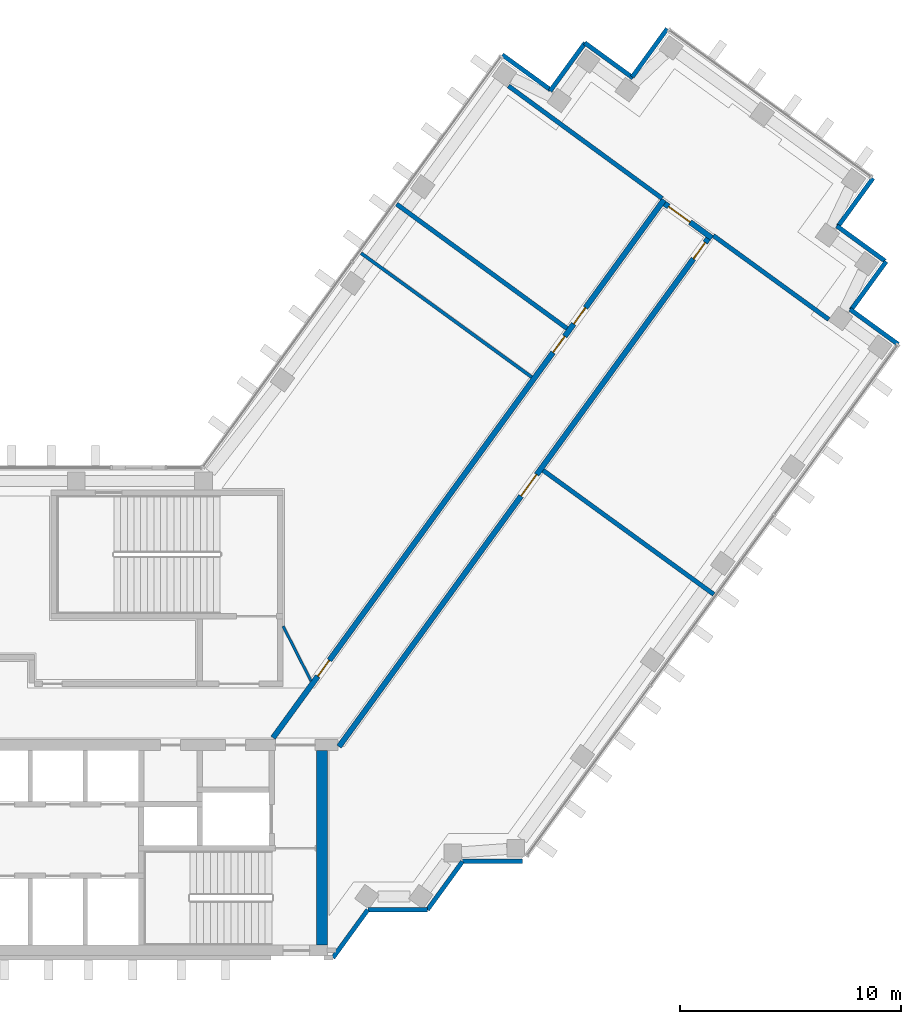
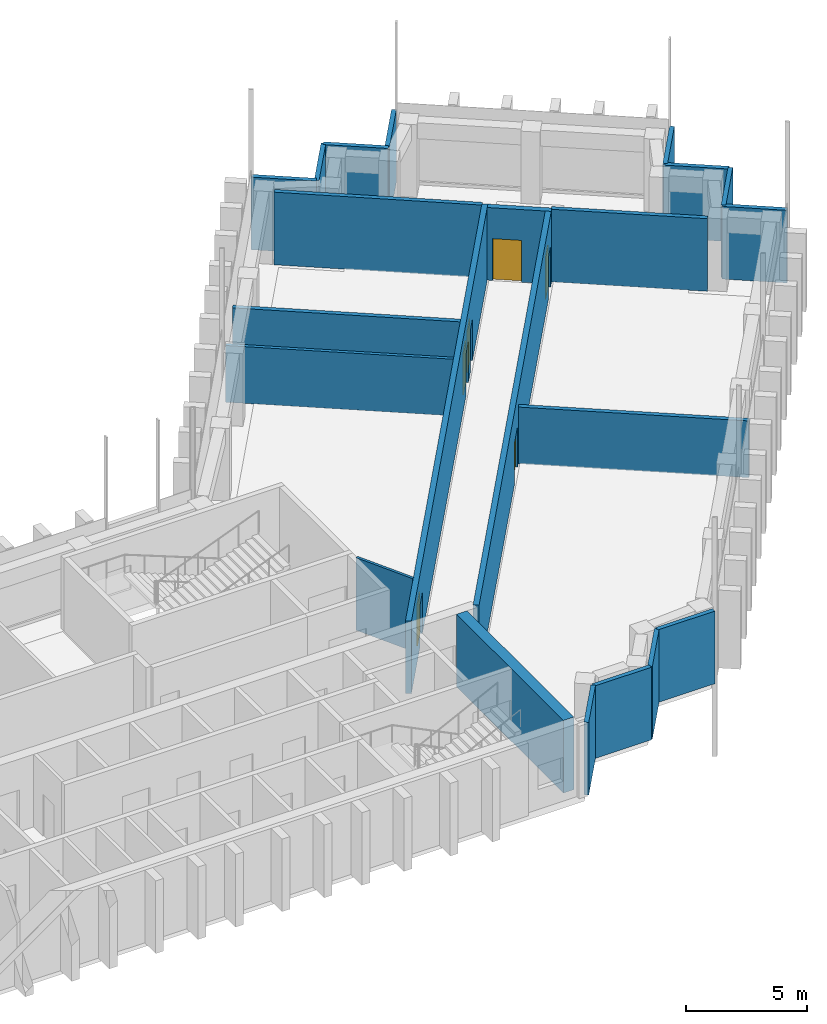
# One storey, part 10 of 13: 22 walls, 6 doors, 6 openings.
"""IFC4 building model written with IfcOpenShell, lengths in metres."""

from ifc_helpers import new_model, si_unit, direction, frame, frame_2d, origin, place, context, subcontext, project, spatial, rectangle, extrude, material, layer, layer_set, type_object, element, fill, save


model = new_model("IFC4")

# Units and contexts
model_context = context("Model", 3, precision=1e-05, world=origin(), true_north=direction((0.0, 1.0)))
body_context = subcontext(model_context, "Body", "Model", "MODEL_VIEW")
ifc_project = project(units=[si_unit("LENGTHUNIT", "METRE"), si_unit("AREAUNIT", "SQUARE_METRE"), si_unit("VOLUMEUNIT", "CUBIC_METRE"), si_unit("PLANEANGLEUNIT", "RADIAN"), si_unit("MASSUNIT", "GRAM", prefix="KILO")], contexts=[model_context])

# Site, building, storey
site_placement = place(None, origin())
site = spatial("IfcSite", under=ifc_project, at=site_placement, CompositionType="ELEMENT")
building_placement = place(site_placement, origin())
building = spatial("IfcBuilding", under=site, at=building_placement, Name="Quipu Civic Tower", CompositionType="ELEMENT")
storey_placement = place(building_placement, frame((0.0, 0.0, 172.0)))
storey = spatial("IfcBuildingStorey", under=building, at=storey_placement, Name="L40", CompositionType="ELEMENT", Elevation=172.0)

# Walls
ifc_material_1 = material(Name="Double gypsum plasterboard with mineral wool")
ifc_layer_1 = layer(ifc_material_1, 0.14990234375)
ifc_layer_set_1 = layer_set([ifc_layer_1], Name="Double gypsum plasterboard with mineral wool")
wall_type_1 = type_object("IfcWallType", Name="Acoustic partition 150 plasterboard", PredefinedType="PARTITIONING", material=ifc_layer_set_1)
wall_1_placement = place(storey_placement, frame((29.251220703125, 15.19970703125, 0.0), z_axis=(0.0, 0.0, 1.0), x_axis=(-0.808994684961, 0.587815957341, 0.0)))
element("IfcWall", 1, at=wall_1_placement, inside=storey, type_object=wall_type_1, Name="Partition P09", PredefinedType="PARTITIONING", context=body_context, shape_type="SweptSolid", body=[
    extrude(rectangle(XDim=9.55029296875, YDim=0.14990234375, at=frame_2d((4.775146484375, 0.0))), origin(), (0.0, 0.0, 1.0), 2.85009765625),
])
ifc_material_2 = material(Name="Fired clay blockwork", Category="masonry")
ifc_layer_2 = layer(ifc_material_2, 0.199951171875)
ifc_layer_set_2 = layer_set([ifc_layer_2], Name="Fired clay blockwork")
wall_type_2 = type_object("IfcWallType", Name="Blockwork wall 200", PredefinedType="SOLIDWALL", material=ifc_layer_set_2)
wall_2_placement = place(storey_placement, frame((37.495849609375, 5.36669921875, 0.0), z_axis=(0.0, 0.0, 1.0), x_axis=(-0.809048817734, 0.587741448702, 0.0)))
element("IfcWall", 2, at=wall_2_placement, inside=storey, type_object=wall_type_2, Name="Partition P06", PredefinedType="SOLIDWALL", context=body_context, shape_type="SweptSolid", body=[
    extrude(rectangle(XDim=9.55029296875, YDim=0.199951171875, at=frame_2d((4.775146484375, 0.0))), origin(), (0.0, 0.0, 1.0), 2.85009765625),
])
wall_3_placement = place(storey_placement, frame((37.4677734375, 21.609619140625, 0.0), z_axis=(0.0, 0.0, 1.0), x_axis=(0.80901688725, -0.587785399737, 0.0)))
element("IfcWall", 3, at=wall_3_placement, inside=storey, type_object=wall_type_2, Name="Partition P07", PredefinedType="SOLIDWALL", context=body_context, shape_type="SweptSolid", body=[
    extrude(rectangle(XDim=6.464599609375, YDim=0.199951171875, at=frame_2d((3.232421875, 0.0))), origin(), (0.0, 0.0, 1.0), 3.64990234375),
])
wall_4_placement = place(storey_placement, frame((28.197998046875, 28.38134765625, 0.0), z_axis=(0.0, 0.0, 1.0), x_axis=(0.806977317905, -0.590582431492, 0.0)))
element("IfcWall", 4, at=wall_4_placement, inside=storey, type_object=wall_type_2, Name="Partition P08", PredefinedType="SOLIDWALL", context=body_context, shape_type="SweptSolid", body=[
    extrude(rectangle(XDim=8.61962890625, YDim=0.199951171875, at=frame_2d((4.309814453125, 0.0))), origin(), (0.0, 0.0, 1.0), 3.64990234375),
])
wall_5_placement = place(storey_placement, frame((23.136962890625, 23.031982421875, 0.0), z_axis=(0.0, 0.0, 1.0), x_axis=(0.807661302092, -0.589646691759, 0.0)))
element("IfcWall", 5, at=wall_5_placement, inside=storey, type_object=wall_type_2, Name="Partition P11", PredefinedType="SOLIDWALL", context=body_context, shape_type="SweptSolid", body=[
    extrude(rectangle(XDim=9.550048828125, YDim=0.199951171875, at=frame_2d((4.77490234375, 0.0))), origin(), (0.0, 0.0, 1.0), 2.85009765625),
])
ifc_material_3 = material(Name="Concrete C70/85", Category="concrete")
ifc_layer_3 = layer(ifc_material_3, 0.5)
ifc_layer_set_3 = layer_set([ifc_layer_3], Name="Concrete C70/85")
wall_type_3 = type_object("IfcWallType", Name="Core wall 500", PredefinedType="SHEAR", material=ifc_layer_set_3)
wall_6_placement = place(storey_placement, frame((19.75, -10.5, 0.0), z_axis=(0.0, 0.0, 1.0), x_axis=(0.0, 1.0, 0.0)))
element("IfcWall", 6, at=wall_6_placement, inside=storey, type_object=wall_type_3, Name="Core wall", PredefinedType="SHEAR", context=body_context, shape_type="SweptSolid", body=[
    extrude(rectangle(XDim=8.800048828125, YDim=0.5, at=frame_2d((4.39990234375, 0.0))), origin(), (0.0, 0.0, 1.0), 3.64990234375),
])

# Wall, openings, doors
ifc_material_4 = material(Name="Concrete C50/60", Category="concrete")
ifc_layer_4 = layer(ifc_material_4, 0.25)
ifc_layer_set_4 = layer_set([ifc_layer_4], Name="Concrete C50/60")
wall_type_4 = type_object("IfcWallType", Name="Corridor wall 250 concrete", PredefinedType="SOLIDWALL", material=ifc_layer_set_4)
wall_7_placement = place(storey_placement, frame((17.544921875, -1.124755859375, 0.0), z_axis=(0.0, 0.0, 1.0), x_axis=(0.587786330937, 0.809016210693, 0.0)))
wall_7 = element("IfcWall", 7, at=wall_7_placement, inside=storey, type_object=wall_type_4, Name="Corridor wall C01", PredefinedType="SOLIDWALL", context=body_context, shape_type="SweptSolid", body=[
    extrude(rectangle(XDim=30.10302734375, YDim=0.25, at=frame_2d((15.051513671875, 0.0))), origin(), (0.0, 0.0, 1.0), 3.64990234375),
])
opening_1_placement = place(wall_7_placement, frame((3.44140625, 0.0, 0.0)))
opening_1 = element("IfcOpeningElement", 8, at=opening_1_placement, cuts=wall_7, Name="Opening D001", PredefinedType="OPENING", context=body_context, shape_type="SweptSolid", body=[
    extrude(rectangle(XDim=0.89990234375, YDim=2.10009765625, at=frame_2d((0.449951171875, 1.050048828125))), frame((0.0, 0.135009765625, 0.0), z_axis=(0.0, -1.0, 0.0), x_axis=(1.0, 0.0, 0.0)), (0.0, 0.0, 1.0), 0.27001953125),
])
opening_2_placement = place(wall_7_placement, frame((23.15771484375, 0.0, 0.0)))
opening_2 = element("IfcOpeningElement", 9, at=opening_2_placement, cuts=wall_7, Name="Opening D003", PredefinedType="OPENING", context=body_context, shape_type="SweptSolid", body=[
    extrude(rectangle(XDim=0.89990234375, YDim=2.10009765625, at=frame_2d((0.449951171875, 1.050048828125))), frame((0.0, 0.135009765625, 0.0), z_axis=(0.0, -1.0, 0.0), x_axis=(1.0, 0.0, 0.0)), (0.0, 0.0, 1.0), 0.27001953125),
])
opening_3_placement = place(wall_7_placement, frame((21.5576171875, 0.0, 0.0)))
opening_3 = element("IfcOpeningElement", 10, at=opening_3_placement, cuts=wall_7, Name="Opening D002", PredefinedType="OPENING", context=body_context, shape_type="SweptSolid", body=[
    extrude(rectangle(XDim=0.89990234375, YDim=2.10009765625, at=frame_2d((0.449951171875, 1.050048828125))), frame((0.0, 0.135009765625, 0.0), z_axis=(0.0, -1.0, 0.0), x_axis=(1.0, 0.0, 0.0)), (0.0, 0.0, 1.0), 0.27001953125),
])
ifc_material_5 = material(Name="Fire rated timber door set with metal frame", Category="wood")
door_type_1 = type_object("IfcDoorType", Name="Single door 900 x 2100 FD60", OperationType="NOTDEFINED", PredefinedType="DOOR", material=ifc_material_5)
door_1_placement = place(opening_1_placement, origin())
door_1 = element("IfcDoor", 11, at=door_1_placement, inside=storey, type_object=door_type_1, Name="Door D001", OperationType="SINGLE_SWING_LEFT", OverallHeight=2.10009765625, OverallWidth=0.89990234375, PredefinedType="DOOR", context=body_context, shape_type="SweptSolid", body=[
    extrude(rectangle(XDim=0.89990234375, YDim=2.10009765625, at=frame_2d((0.449951171875, 1.050048828125))), frame((0.0, 0.02490234375, 0.0), z_axis=(0.0, -1.0, 0.0), x_axis=(1.0, 0.0, 0.0)), (0.0, 0.0, 1.0), 0.050048828125),
])
fill(opening_1, door_1)
door_2_placement = place(opening_2_placement, origin())
door_2 = element("IfcDoor", 12, at=door_2_placement, inside=storey, type_object=door_type_1, Name="Door D003", OperationType="SINGLE_SWING_LEFT", OverallHeight=2.10009765625, OverallWidth=0.89990234375, PredefinedType="DOOR", context=body_context, shape_type="SweptSolid", body=[
    extrude(rectangle(XDim=0.89990234375, YDim=2.10009765625, at=frame_2d((0.449951171875, 1.050048828125))), frame((0.0, 0.02490234375, 0.0), z_axis=(0.0, -1.0, 0.0), x_axis=(1.0, 0.0, 0.0)), (0.0, 0.0, 1.0), 0.050048828125),
])
fill(opening_2, door_2)
door_3_placement = place(opening_3_placement, origin())
door_3 = element("IfcDoor", 13, at=door_3_placement, inside=storey, type_object=door_type_1, Name="Door D002", OperationType="SINGLE_SWING_RIGHT", OverallHeight=2.10009765625, OverallWidth=0.89990234375, PredefinedType="DOOR", context=body_context, shape_type="SweptSolid", body=[
    extrude(rectangle(XDim=0.89990234375, YDim=2.10009765625, at=frame_2d((0.449951171875, 1.050048828125))), frame((0.0, 0.02490234375, 0.0), z_axis=(0.0, -1.0, 0.0), x_axis=(1.0, 0.0, 0.0)), (0.0, 0.0, 1.0), 0.050048828125),
])
fill(opening_3, door_3)

# Wall, opening, door
wall_8_placement = place(storey_placement, frame((35.2666015625, 23.054443359375, 0.0), z_axis=(0.0, 0.0, 1.0), x_axis=(0.809038743598, -0.587755315891, 0.0)))
wall_8 = element("IfcWall", 14, at=wall_8_placement, inside=storey, type_object=wall_type_4, Name="Corridor wall C02", PredefinedType="SOLIDWALL", context=body_context, shape_type="SweptSolid", body=[
    extrude(rectangle(XDim=2.650146484375, YDim=0.25, at=frame_2d((1.3251953125, 0.0))), origin(), (0.0, 0.0, 1.0), 3.64990234375),
])
opening_4_placement = place(wall_8_placement, frame((0.224365234375, 0.0, 0.0)))
opening_4 = element("IfcOpeningElement", 15, at=opening_4_placement, cuts=wall_8, Name="Opening D006", PredefinedType="OPENING", context=body_context, shape_type="SweptSolid", body=[
    extrude(rectangle(XDim=1.199951171875, YDim=2.10009765625, at=frame_2d((0.60009765625, 1.050048828125))), frame((0.0, 0.135009765625, 0.0), z_axis=(0.0, -1.0, 0.0), x_axis=(1.0, 0.0, 0.0)), (0.0, 0.0, 1.0), 0.27001953125),
])
ifc_material_6 = material(Name="Fire rated timber door set with metal frame", Category="wood")
door_type_2 = type_object("IfcDoorType", Name="Single door 1200 x 2100 FD60", OperationType="NOTDEFINED", PredefinedType="DOOR", material=ifc_material_6)
door_4_placement = place(opening_4_placement, origin())
door_4 = element("IfcDoor", 16, at=door_4_placement, inside=storey, type_object=door_type_2, Name="Door D006", OperationType="SINGLE_SWING_LEFT", OverallHeight=2.10009765625, OverallWidth=1.199951171875, PredefinedType="DOOR", context=body_context, shape_type="SweptSolid", body=[
    extrude(rectangle(XDim=1.199951171875, YDim=2.10009765625, at=frame_2d((0.60009765625, 1.050048828125))), frame((0.0, 0.02490234375, 0.0), z_axis=(0.0, -1.0, 0.0), x_axis=(1.0, 0.0, 0.0)), (0.0, 0.0, 1.0), 0.050048828125),
])
fill(opening_4, door_4)

# Wall, openings, doors
wall_9_placement = place(storey_placement, frame((37.236083984375, 21.46923828125, 0.0), z_axis=(0.0, 0.0, 1.0), x_axis=(-0.58778344073, -0.809018310549, 0.0)))
wall_9 = element("IfcWall", 17, at=wall_9_placement, inside=storey, type_object=wall_type_4, Name="Corridor wall C03", PredefinedType="SOLIDWALL", context=body_context, shape_type="SweptSolid", body=[
    extrude(rectangle(XDim=28.42041015625, YDim=0.25, at=frame_2d((14.210205078125, 0.0))), origin(), (0.0, 0.0, 1.0), 3.64990234375),
])
opening_5_placement = place(wall_9_placement, frame((13.205078125, 0.0, 0.0)))
opening_5 = element("IfcOpeningElement", 18, at=opening_5_placement, cuts=wall_9, Name="Opening D004", PredefinedType="OPENING", context=body_context, shape_type="SweptSolid", body=[
    extrude(rectangle(XDim=1.199951171875, YDim=2.10009765625, at=frame_2d((0.60009765625, 1.050048828125))), frame((0.0, 0.135009765625, 0.0), z_axis=(0.0, -1.0, 0.0), x_axis=(1.0, 0.0, 0.0)), (0.0, 0.0, 1.0), 0.27001953125),
])
opening_6_placement = place(wall_9_placement, frame((0.224365234375, 0.0, 0.0)))
opening_6 = element("IfcOpeningElement", 19, at=opening_6_placement, cuts=wall_9, Name="Opening D005", PredefinedType="OPENING", context=body_context, shape_type="SweptSolid", body=[
    extrude(rectangle(XDim=0.89990234375, YDim=2.10009765625, at=frame_2d((0.449951171875, 1.050048828125))), frame((0.0, 0.135009765625, 0.0), z_axis=(0.0, -1.0, 0.0), x_axis=(1.0, 0.0, 0.0)), (0.0, 0.0, 1.0), 0.27001953125),
])
door_5_placement = place(opening_5_placement, origin())
door_5 = element("IfcDoor", 20, at=door_5_placement, inside=storey, type_object=door_type_2, Name="Door D004", OperationType="SINGLE_SWING_LEFT", OverallHeight=2.10009765625, OverallWidth=1.199951171875, PredefinedType="DOOR", context=body_context, shape_type="SweptSolid", body=[
    extrude(rectangle(XDim=1.199951171875, YDim=2.10009765625, at=frame_2d((0.60009765625, 1.050048828125))), frame((0.0, 0.02490234375, 0.0), z_axis=(0.0, -1.0, 0.0), x_axis=(1.0, 0.0, 0.0)), (0.0, 0.0, 1.0), 0.050048828125),
])
fill(opening_5, door_5)
door_6_placement = place(opening_6_placement, origin())
door_6 = element("IfcDoor", 21, at=door_6_placement, inside=storey, type_object=door_type_1, Name="Door D005", OperationType="SINGLE_SWING_LEFT", OverallHeight=2.10009765625, OverallWidth=0.89990234375, PredefinedType="DOOR", context=body_context, shape_type="SweptSolid", body=[
    extrude(rectangle(XDim=0.89990234375, YDim=2.10009765625, at=frame_2d((0.449951171875, 1.050048828125))), frame((0.0, 0.02490234375, 0.0), z_axis=(0.0, -1.0, 0.0), x_axis=(1.0, 0.0, 0.0)), (0.0, 0.0, 1.0), 0.050048828125),
])
fill(opening_6, door_6)

# Walls
ifc_material_7 = material(Name="Gypsum plasterboard on light gauge framing")
ifc_layer_5 = layer(ifc_material_7, 0.1201171875)
ifc_layer_set_5 = layer_set([ifc_layer_5], Name="Gypsum plasterboard on light gauge framing")
wall_type_5 = type_object("IfcWallType", Name="Partition 120 plasterboard", PredefinedType="PARTITIONING", material=ifc_layer_set_5)
wall_10_placement = place(storey_placement, frame((18.0, 3.925048828125, 0.0), z_axis=(0.0, 0.0, 1.0), x_axis=(0.453950796792, -0.891026752736, 0.0)))
element("IfcWall", 22, at=wall_10_placement, inside=storey, type_object=wall_type_5, Name="Partition P12", PredefinedType="PARTITIONING", context=body_context, shape_type="SweptSolid", body=[
    extrude(rectangle(XDim=2.77783203125, YDim=0.1201171875, at=frame_2d((1.388916015625, 0.0))), origin(), (0.0, 0.0, 1.0), 3.64990234375),
])
ifc_material_8 = material(Name="Precast concrete C40/50", Category="concrete")
wall_type_6 = type_object("IfcWallType", Name="Precast cladding wall", PredefinedType="SOLIDWALL", material=ifc_material_8)
wall_11_placement = place(storey_placement, frame((20.253173828125, -11.083251953125, 0.0), z_axis=(0.0, 0.0, 1.0), x_axis=(0.587766567315, 0.809030569476, 0.0)))
element("IfcWall", 23, at=wall_11_placement, inside=storey, type_object=wall_type_6, Name="Precast cladding wall L40 P20", PredefinedType="SOLIDWALL", context=body_context, shape_type="SweptSolid", body=[
    extrude(rectangle(XDim=2.687744140625, YDim=0.199951171875, at=frame_2d((1.34375, 0.0))), origin(), (0.0, 0.0, 1.0), 3.64990234375),
])
wall_12_placement = place(storey_placement, frame((21.8427734375, -8.90380859375, 0.0), z_axis=(0.0, 0.0, 1.0), x_axis=(1.0, 0.0, 0.0)))
element("IfcWall", 24, at=wall_12_placement, inside=storey, type_object=wall_type_6, Name="Precast cladding wall L40 P21", PredefinedType="SOLIDWALL", context=body_context, shape_type="SweptSolid", body=[
    extrude(rectangle(XDim=2.699951171875, YDim=0.199951171875, at=frame_2d((1.35009765625, 0.0))), origin(), (0.0, 0.0, 1.0), 3.64990234375),
])
wall_13_placement = place(storey_placement, frame((24.533203125, -8.90869140625, 0.0), z_axis=(0.0, 0.0, 1.0), x_axis=(0.587720002413, 0.809064397168, 0.0)))
element("IfcWall", 25, at=wall_13_placement, inside=storey, type_object=wall_type_6, Name="Precast cladding wall L40 P22", PredefinedType="SOLIDWALL", context=body_context, shape_type="SweptSolid", body=[
    extrude(rectangle(XDim=2.7001953125, YDim=0.199951171875, at=frame_2d((1.35009765625, 0.0))), origin(), (0.0, 0.0, 1.0), 3.64990234375),
])
for number, where, z_axis, x_axis, name in (
    (26, (26.1298828125, -6.71923828125, 0.0), (0.0, 0.0, 1.0), (1.0, 0.0, 0.0), "Precast cladding wall L40 P23"),
    (27, (45.84228515625, 16.6845703125, 0.0), (0.0, 0.0, 1.0), (-0.808958916286, 0.58786518162, 0.0), "Precast cladding wall L40 P25"),
    (28, (43.70947265625, 18.249267578125, 0.0), (0.0, 0.0, 1.0), (0.587762999008, 0.809033161865, 0.0), "Precast cladding wall L40 P26"),
    (29, (45.2451171875, 20.4560546875, 0.0), (0.0, 0.0, 1.0), (-0.809033161865, 0.587762999008, 0.0), "Precast cladding wall L40 P27"),
    (30, (43.112548828125, 22.020263671875, 0.0), (0.0, 0.0, 1.0), (0.587762999008, 0.809033161865, 0.0), "Precast cladding wall L40 P28"),
    (31, (35.3876953125, 30.97021484375, 0.0), (0.0, 0.0, 1.0), (-0.587762999008, -0.809033161865, 0.0), "Precast cladding wall L40 P30"),
    (32, (33.837890625, 28.743896484375, 0.0), (0.0, 0.0, 1.0), (-0.809033161865, 0.587762999008, 0.0), "Precast cladding wall L40 P31"),
    (33, (31.67041015625, 30.33349609375, 0.0), (0.0, 0.0, 1.0), (-0.587762999008, -0.809033161865, 0.0), "Precast cladding wall L40 P32"),
    (34, (30.105712890625, 28.2001953125, 0.0), (0.0, 0.0, 1.0), (-0.809033161865, 0.587762999008, 0.0), "Precast cladding wall L40 P33"),
):
    element("IfcWall", number, at=place(storey_placement, frame(where, z_axis=z_axis, x_axis=x_axis)), inside=storey, type_object=wall_type_6, Name=name, PredefinedType="SOLIDWALL", context=body_context, shape_type="SweptSolid", body=[
        extrude(rectangle(XDim=2.699951171875, YDim=0.199951171875, at=frame_2d((1.35009765625, 0.0))), origin(), (0.0, 0.0, 1.0), 3.64990234375),
    ])

save(model, "model.ifc")
